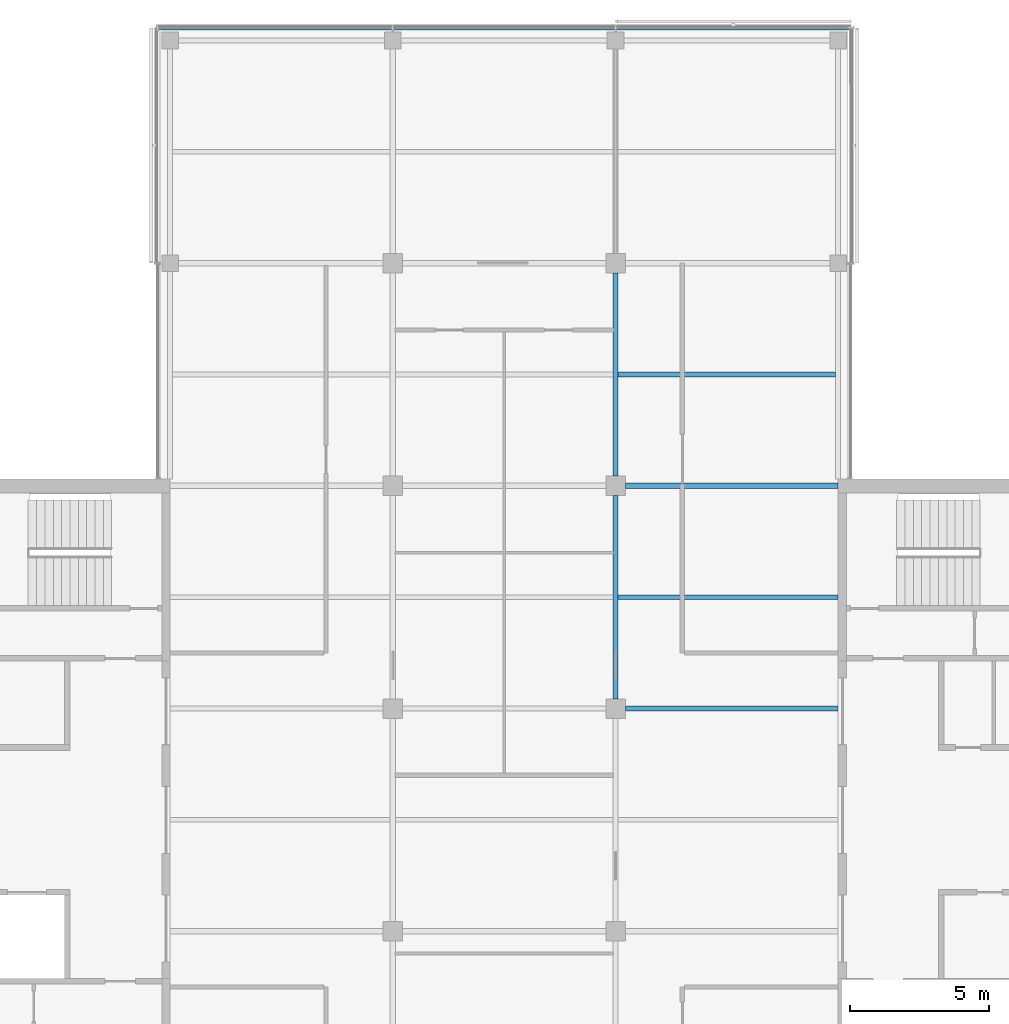
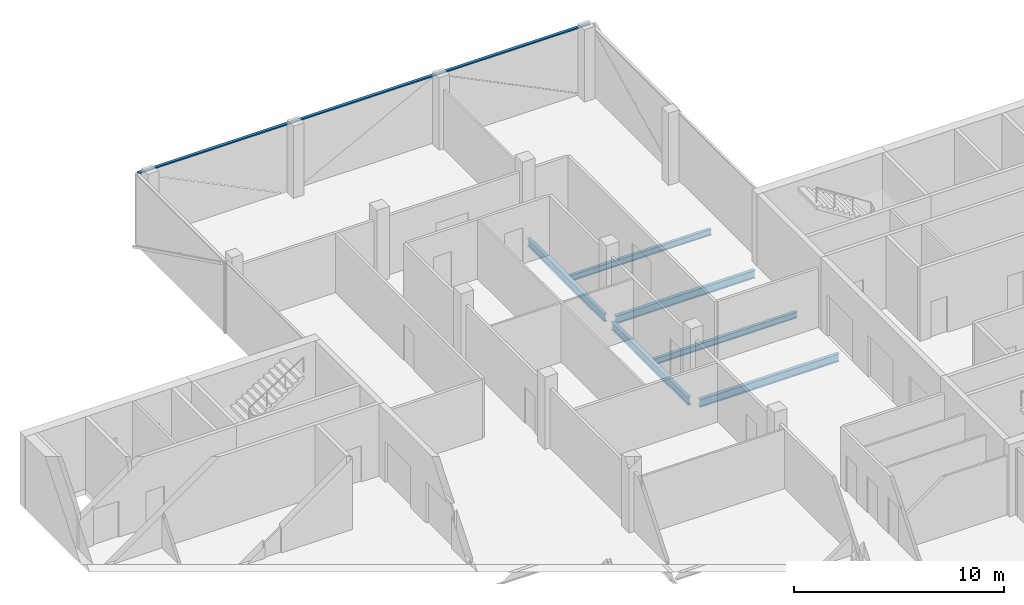
# One storey, part 6 of 15: 6 beams, 1 member, 1 element without a shape of its own.
"""IFC4 building model written with IfcOpenShell, lengths in metres."""

from ifc_helpers import new_model, si_unit, direction, frame, origin, origin_2d, place, context, subcontext, project, spatial, rectangle, i_section, extrude, material, material_profile, profile_set, type_object, element, aggregate, save


model = new_model("IFC4")

# Units and contexts
model_context = context("Model", 3, precision=1e-05, world=origin(), true_north=direction((0.0, 1.0)))
body_context = subcontext(model_context, "Body", "Model", "MODEL_VIEW")
ifc_project = project(units=[si_unit("LENGTHUNIT", "METRE"), si_unit("AREAUNIT", "SQUARE_METRE"), si_unit("VOLUMEUNIT", "CUBIC_METRE"), si_unit("PLANEANGLEUNIT", "RADIAN"), si_unit("MASSUNIT", "GRAM", prefix="KILO")], contexts=[model_context])

# Site, building, storey
site_placement = place(None, origin())
site = spatial("IfcSite", under=ifc_project, at=site_placement, CompositionType="ELEMENT")
building_placement = place(site_placement, origin())
building = spatial("IfcBuilding", under=site, at=building_placement, Name="Crosswind Convention Tower", CompositionType="ELEMENT")
storey_placement = place(building_placement, frame((0.0, 0.0, 266.10009765625)))
storey = spatial("IfcBuildingStorey", under=building, at=storey_placement, Name="L57", CompositionType="ELEMENT", Elevation=266.10009765625)

# Beams
ifc_material_1 = material(Name="Steel S355", Category="steel")
ifc_material_profile_1 = material_profile(ifc_material_1, i_section(OverallWidth=0.18994140625, OverallDepth=0.45361328125, WebThickness=0.008544921875, FlangeThickness=0.0126953125, FilletRadius=0.01025390625, at=origin_2d()), Name="UB 457x191x67")
ifc_profile_set_1 = profile_set([ifc_material_profile_1], Name="Steel S355")
beam_type_1 = type_object("IfcBeamType", Name="Girder UB 457x191x67", PredefinedType="BEAM", material=ifc_profile_set_1)
for number, where, z_axis, x_axis, name in (
    (1, (129.0, 104.35009765625, -0.52685546875), (0.0, 1.0, 0.0), (-1.0, 0.0, 0.0), "B1 L57 girder 20"),
    (2, (129.0, 112.35009765625, -0.52685546875), (0.0, 1.0, 0.0), (-1.0, 0.0, 0.0), "B1 L57 girder 21"),
):
    element("IfcBeam", number, at=place(storey_placement, frame(where, z_axis=z_axis, x_axis=x_axis)), inside=storey, type_object=beam_type_1, Name=name, PredefinedType="BEAM", context=body_context, shape_type="SweptSolid", body=[
        extrude(i_section(OverallWidth=0.18994140625, OverallDepth=0.45361328125, WebThickness=0.008544921875, FlangeThickness=0.0126953125, FilletRadius=0.01025390625, at=origin_2d()), origin(), (0.0, 0.0, 1.0), 7.2998046875),
    ])
ifc_material_profile_2 = material_profile(ifc_material_1, i_section(OverallWidth=0.1904296875, OverallDepth=0.457275390625, WebThickness=0.009033203125, FlangeThickness=0.014404296875, FilletRadius=0.01025390625, at=origin_2d()), Name="UB 457x191x75")
ifc_profile_set_2 = profile_set([ifc_material_profile_2], Name="Steel S355")
beam_type_2 = type_object("IfcBeamType", Name="Girder at core wall UB 457x191x75", PredefinedType="BEAM", material=ifc_profile_set_2)
for number, where, z_axis, x_axis, name in (
    (3, (129.35009765625, 104.0, -0.52880859375), (1.0, 0.0, 0.0), (0.0, 1.0, 0.0), "B22 L57 girder at core wall 7"),
    (4, (129.35009765625, 112.0, -0.52880859375), (1.0, 0.0, 0.0), (0.0, 1.0, 0.0), "B22 L57 girder at core wall 8"),
):
    element("IfcBeam", number, at=place(storey_placement, frame(where, z_axis=z_axis, x_axis=x_axis)), inside=storey, type_object=beam_type_2, Name=name, PredefinedType="BEAM", context=body_context, shape_type="SweptSolid", body=[
        extrude(i_section(OverallWidth=0.1904296875, OverallDepth=0.457275390625, WebThickness=0.009033203125, FlangeThickness=0.014404296875, FilletRadius=0.01025390625, at=origin_2d()), origin(), (0.0, 0.0, 1.0), 7.64990234375),
    ])
ifc_material_profile_3 = material_profile(ifc_material_1, i_section(OverallWidth=0.17138671875, OverallDepth=0.355712890625, WebThickness=0.00732421875, FlangeThickness=0.011474609375, FilletRadius=0.01025390625, at=origin_2d()), Name="UB 356x171x51")
ifc_profile_set_3 = profile_set([ifc_material_profile_3], Name="Steel S355")
beam_type_3 = type_object("IfcBeamType", Name="Secondary beam UB 356x171x51", PredefinedType="JOIST", material=ifc_profile_set_3)
beam_1_placement = place(storey_placement, frame((129.094970703125, 108.0, -0.477783203125), z_axis=(1.0, 0.0, 0.0), x_axis=(0.0, 1.0, 0.0)))
element("IfcBeam", 5, at=beam_1_placement, inside=storey, type_object=beam_type_3, Name="B8 L57 secondary beam 19", PredefinedType="JOIST", context=body_context, shape_type="SweptSolid", body=[
    extrude(i_section(OverallWidth=0.17138671875, OverallDepth=0.355712890625, WebThickness=0.00732421875, FlangeThickness=0.011474609375, FilletRadius=0.01025390625, at=origin_2d()), origin(), (0.0, 0.0, 1.0), 7.905029296875),
])
beam_2_placement = place(storey_placement, frame((129.094970703125, 116.0, -0.477783203125), z_axis=(1.0, 0.0, 0.0), x_axis=(0.0, 1.0, 0.0)))
element("IfcBeam", 6, at=beam_2_placement, inside=storey, type_object=beam_type_3, Name="B8 L57 secondary beam 20", PredefinedType="JOIST", context=body_context, shape_type="SweptSolid", body=[
    extrude(i_section(OverallWidth=0.17138671875, OverallDepth=0.355712890625, WebThickness=0.00732421875, FlangeThickness=0.011474609375, FilletRadius=0.01025390625, at=origin_2d()), origin(), (0.0, 0.0, 1.0), 7.816162109375),
])

# Curtain wall, member
ifc_material_2 = material(Name="Aluminium unitised curtain wall", Category="aluminium")
curtain_wall_type = type_object("IfcCurtainWallType", Name="OFFICE UNITISED WALL 220", PredefinedType="USERDEFINED", material=ifc_material_2)
curtain_wall_placement = place(storey_placement, origin())
curtain_wall = element("IfcCurtainWall", 7, at=curtain_wall_placement, inside=storey, type_object=curtain_wall_type, Name="CW3 L57 N-TIP 1", ObjectType="UNITISED", PredefinedType="USERDEFINED")
ifc_material_3 = material(Name="Aluminium transom", Category="aluminium")
ifc_material_profile_4 = material_profile(ifc_material_3, rectangle(XDim=0.159912109375, YDim=0.070068359375, at=origin_2d()), Name="AL 160X70")
ifc_profile_set_4 = profile_set([ifc_material_profile_4], Name="Aluminium transom")
member_type = type_object("IfcMemberType", Name="TRANSOM 70X160", PredefinedType="USERDEFINED", material=ifc_profile_set_4)
member_placement = place(storey_placement, frame((137.425048828125, 128.4599609375, 3.864990234375), z_axis=(-1.0, 0.0, 0.0), x_axis=(0.0, -1.0, 0.0)))
member = element("IfcMember", 8, at=member_placement, type_object=member_type, Name="CW3 transom", ObjectType="TRANSOM", PredefinedType="USERDEFINED", context=body_context, shape_type="SweptSolid", body=[
    extrude(rectangle(XDim=0.159912109375, YDim=0.070068359375, at=origin_2d()), origin(), (0.0, 0.0, 1.0), 24.85009765625),
])
aggregate(curtain_wall, [member])

save(model, "model.ifc")
